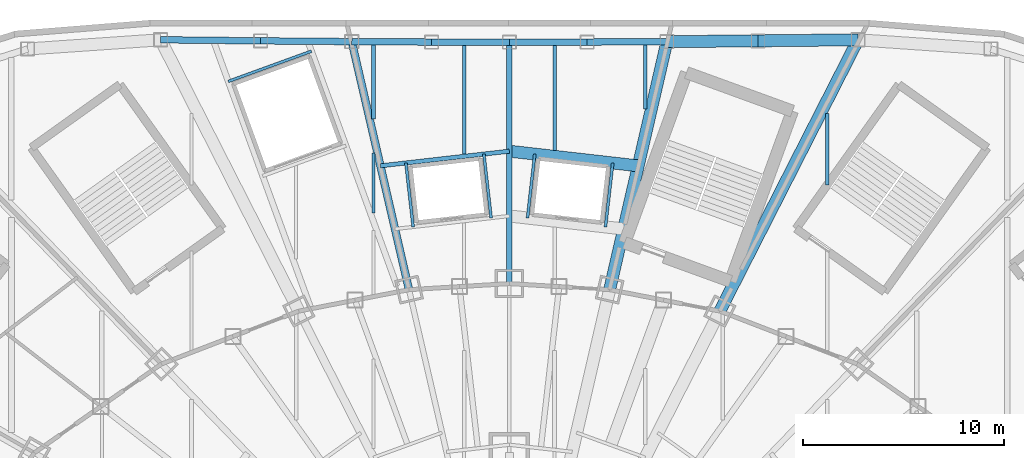
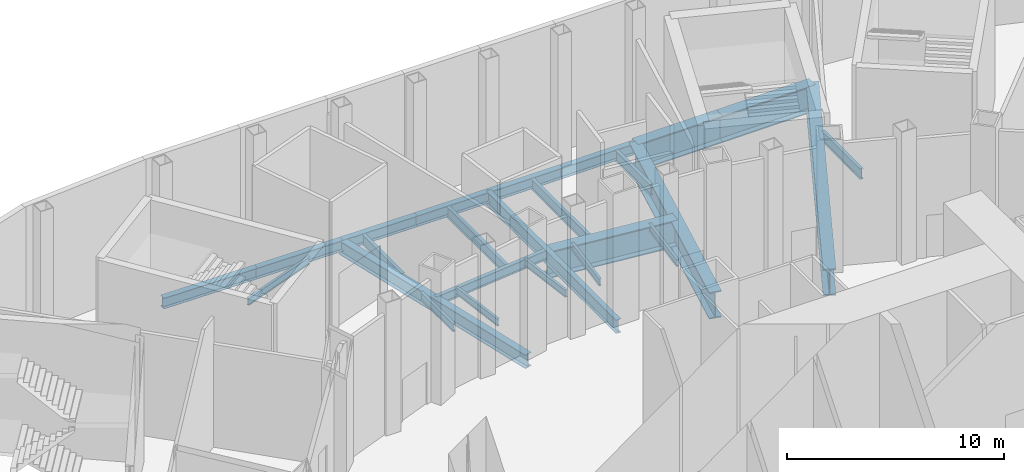
# One storey, part 8 of 73: 25 beams.
"""IFC4 building model written with IfcOpenShell, lengths in metres."""

from ifc_helpers import new_model, si_unit, direction, frame, origin, origin_2d, place, context, subcontext, project, spatial, i_section, extrude, material, material_profile, profile_set, type_object, element, save


model = new_model("IFC4")

# Units and contexts
model_context = context("Model", 3, precision=1e-05, world=origin(), true_north=direction((0.0, 1.0)))
body_context = subcontext(model_context, "Body", "Model", "MODEL_VIEW")
ifc_project = project(units=[si_unit("LENGTHUNIT", "METRE"), si_unit("AREAUNIT", "SQUARE_METRE"), si_unit("VOLUMEUNIT", "CUBIC_METRE"), si_unit("PLANEANGLEUNIT", "RADIAN"), si_unit("MASSUNIT", "GRAM", prefix="KILO")], contexts=[model_context])

# Site, building, storey
site_placement = place(None, origin())
site = spatial("IfcSite", under=ifc_project, at=site_placement, CompositionType="ELEMENT")
building_placement = place(site_placement, origin())
building = spatial("IfcBuilding", under=site, at=building_placement, Name="Lantaw Convention Tower", CompositionType="ELEMENT")
storey_placement = place(building_placement, frame((0.0, 0.0, 14.5)))
storey = spatial("IfcBuildingStorey", under=building, at=storey_placement, Name="L02", CompositionType="ELEMENT", Elevation=14.5)

# Beams
ifc_material_1 = material(Name="Steel ASTM A572 Grade 50", Category="steel")
ifc_material_profile_1 = material_profile(ifc_material_1, i_section(OverallWidth=0.60009765625, OverallDepth=1.5, WebThickness=0.02490234375, FlangeThickness=0.06005859375, at=origin_2d()), Name="PG1500X600X25X60")
ifc_profile_set_1 = profile_set([ifc_material_profile_1], Name="Steel ASTM A572 Grade 50")
beam_type_1 = type_object("IfcBeamType", Name="Beam E PG1500X600X25X60", PredefinedType="SPANDREL", material=ifc_profile_set_1)
beam_1_placement = place(storey_placement, frame((17.333984375, 34.019775390625, -0.949951171875), z_axis=(-0.999942166471, -0.010754706535, 0.0), x_axis=(0.010754706535, -0.999942166471, 0.0)))
element("IfcBeam", 1, at=beam_1_placement, inside=storey, type_object=beam_type_1, Name="Podium edge beam R04", PredefinedType="SPANDREL", context=body_context, shape_type="SweptSolid", body=[
    extrude(i_section(OverallWidth=0.60009765625, OverallDepth=1.5, WebThickness=0.02490234375, FlangeThickness=0.06005859375, at=origin_2d()), origin(), (0.0, 0.0, 1.0), 4.971435546875),
])
beam_2_placement = place(storey_placement, frame((12.36279296875, 33.96630859375, -0.949951171875), z_axis=(-0.999964655563, -0.00840759331, 0.0), x_axis=(0.00840759331, -0.999964655563, 0.0)))
element("IfcBeam", 2, at=beam_2_placement, inside=storey, type_object=beam_type_1, Name="Podium edge beam B04", PredefinedType="SPANDREL", context=body_context, shape_type="SweptSolid", body=[
    extrude(i_section(OverallWidth=0.60009765625, OverallDepth=1.5, WebThickness=0.02490234375, FlangeThickness=0.06005859375, at=origin_2d()), origin(), (0.0, 0.0, 1.0), 4.530029296875),
])
ifc_material_2 = material(Name="Steel ASTM A992", Category="steel")
ifc_material_profile_2 = material_profile(ifc_material_2, i_section(OverallWidth=0.3251953125, OverallDepth=0.612060546875, WebThickness=0.0126953125, FlangeThickness=0.01904296875, FilletRadius=0.0126953125, at=origin_2d()), Name="W24X104")
ifc_profile_set_2 = profile_set([ifc_material_profile_2], Name="Steel ASTM A992")
beam_type_2 = type_object("IfcBeamType", Name="Beam E W24X104", PredefinedType="SPANDREL", material=ifc_profile_set_2)
beam_3_placement = place(storey_placement, frame((7.8330078125, 33.92822265625, -0.506103515625), z_axis=(-0.999985686096, -0.005350476918, 0.0), x_axis=(0.005350476918, -0.999985686096, 0.0)))
element("IfcBeam", 3, at=beam_3_placement, inside=storey, type_object=beam_type_2, Name="Podium edge beam R05", PredefinedType="SPANDREL", context=body_context, shape_type="SweptSolid", body=[
    extrude(i_section(OverallWidth=0.3251953125, OverallDepth=0.612060546875, WebThickness=0.0126953125, FlangeThickness=0.01904296875, FilletRadius=0.0126953125, at=origin_2d()), origin(), (0.0, 0.0, 1.0), 3.9697265625),
])
for number, where, z_axis, x_axis, name in (
    (4, (3.86328125, 33.906982421875, -0.506103515625), (-0.999998320684, -0.001832656174, 0.0), (0.001832656174, -0.999998320684, 0.0), "Podium edge beam B05"),
    (5, (0.0, 33.89990234375, -0.506103515625), (-0.999998320684, 0.001832656174, 0.0), (-0.001832656174, -0.999998320684, 0.0), "Podium edge beam R06"),
):
    element("IfcBeam", number, at=place(storey_placement, frame(where, z_axis=z_axis, x_axis=x_axis)), inside=storey, type_object=beam_type_2, Name=name, PredefinedType="SPANDREL", context=body_context, shape_type="SweptSolid", body=[
        extrude(i_section(OverallWidth=0.3251953125, OverallDepth=0.612060546875, WebThickness=0.0126953125, FlangeThickness=0.01904296875, FilletRadius=0.0126953125, at=origin_2d()), origin(), (0.0, 0.0, 1.0), 3.86328125),
    ])
beam_4_placement = place(storey_placement, frame((-3.86328125, 33.906982421875, -0.506103515625), z_axis=(-0.999985686096, 0.005350476918, 0.0), x_axis=(-0.005350476918, -0.999985686096, 0.0)))
element("IfcBeam", 6, at=beam_4_placement, inside=storey, type_object=beam_type_2, Name="Podium edge beam B06", PredefinedType="SPANDREL", context=body_context, shape_type="SweptSolid", body=[
    extrude(i_section(OverallWidth=0.3251953125, OverallDepth=0.612060546875, WebThickness=0.0126953125, FlangeThickness=0.01904296875, FilletRadius=0.0126953125, at=origin_2d()), origin(), (0.0, 0.0, 1.0), 3.9697265625),
])
beam_5_placement = place(storey_placement, frame((-7.8330078125, 33.92822265625, -0.506103515625), z_axis=(-0.999964655563, 0.00840759331, 0.0), x_axis=(-0.00840759331, -0.999964655563, 0.0)))
element("IfcBeam", 7, at=beam_5_placement, inside=storey, type_object=beam_type_2, Name="Podium edge beam R07", PredefinedType="SPANDREL", context=body_context, shape_type="SweptSolid", body=[
    extrude(i_section(OverallWidth=0.3251953125, OverallDepth=0.612060546875, WebThickness=0.0126953125, FlangeThickness=0.01904296875, FilletRadius=0.0126953125, at=origin_2d()), origin(), (0.0, 0.0, 1.0), 4.530029296875),
])
beam_6_placement = place(storey_placement, frame((-12.36279296875, 33.96630859375, -0.506103515625), z_axis=(-0.999942166471, 0.010754706535, 0.0), x_axis=(-0.010754706535, -0.999942166471, 0.0)))
element("IfcBeam", 8, at=beam_6_placement, inside=storey, type_object=beam_type_2, Name="Podium edge beam B07", PredefinedType="SPANDREL", context=body_context, shape_type="SweptSolid", body=[
    extrude(i_section(OverallWidth=0.3251953125, OverallDepth=0.612060546875, WebThickness=0.0126953125, FlangeThickness=0.01904296875, FilletRadius=0.0126953125, at=origin_2d()), origin(), (0.0, 0.0, 1.0), 4.971435546875),
])
ifc_material_profile_3 = material_profile(ifc_material_2, i_section(OverallWidth=0.15234375, OverallDepth=0.449462890625, WebThickness=0.007568359375, FlangeThickness=0.0107421875, FilletRadius=0.01025390625, at=origin_2d()), Name="W18X35")
ifc_profile_set_3 = profile_set([ifc_material_profile_3], Name="Steel ASTM A992")
beam_type_3 = type_object("IfcBeamType", Name="Beam J W18X35", PredefinedType="JOIST", material=ifc_profile_set_3)
beam_7_placement = place(storey_placement, frame((-6.75, 25.40478515625, -0.4248046875), z_axis=(0.0, 1.0, 0.0), x_axis=(-1.0, 0.0, 0.0)))
element("IfcBeam", 9, at=beam_7_placement, inside=storey, type_object=beam_type_3, Name="Floor joist", PredefinedType="JOIST", context=body_context, shape_type="SweptSolid", body=[
    extrude(i_section(OverallWidth=0.15234375, OverallDepth=0.449462890625, WebThickness=0.007568359375, FlangeThickness=0.0107421875, FilletRadius=0.01025390625, at=origin_2d()), origin(), (0.0, 0.0, 1.0), 2.98583984375),
])
ifc_material_profile_4 = material_profile(ifc_material_2, i_section(OverallWidth=0.177978515625, OverallDepth=0.599365234375, WebThickness=0.010009765625, FlangeThickness=0.012939453125, FilletRadius=0.012939453125, at=origin_2d()), Name="W24X55")
ifc_profile_set_4 = profile_set([ifc_material_profile_4], Name="Steel ASTM A992")
beam_type_4 = type_object("IfcBeamType", Name="Beam J W24X55", PredefinedType="JOIST", material=ifc_profile_set_4)
beam_8_placement = place(storey_placement, frame((-6.75, 30.084228515625, -0.499755859375), z_axis=(0.0, 1.0, 0.0), x_axis=(-1.0, 0.0, 0.0)))
element("IfcBeam", 10, at=beam_8_placement, inside=storey, type_object=beam_type_4, Name="Floor joist", PredefinedType="JOIST", context=body_context, shape_type="SweptSolid", body=[
    extrude(i_section(OverallWidth=0.177978515625, OverallDepth=0.599365234375, WebThickness=0.010009765625, FlangeThickness=0.012939453125, FilletRadius=0.012939453125, at=origin_2d()), origin(), (0.0, 0.0, 1.0), 3.675537109375),
])
beam_9_placement = place(storey_placement, frame((-2.25, 28.33251953125, -0.499755859375), z_axis=(0.0, 1.0, 0.0), x_axis=(-1.0, 0.0, 0.0)))
element("IfcBeam", 11, at=beam_9_placement, inside=storey, type_object=beam_type_4, Name="Floor joist", PredefinedType="JOIST", context=body_context, shape_type="SweptSolid", body=[
    extrude(i_section(OverallWidth=0.177978515625, OverallDepth=0.599365234375, WebThickness=0.010009765625, FlangeThickness=0.012939453125, FilletRadius=0.012939453125, at=origin_2d()), origin(), (0.0, 0.0, 1.0), 5.408935546875),
])
beam_10_placement = place(storey_placement, frame((2.25, 28.528564453125, -0.499755859375), z_axis=(0.0, 1.0, 0.0), x_axis=(-1.0, 0.0, 0.0)))
element("IfcBeam", 12, at=beam_10_placement, inside=storey, type_object=beam_type_4, Name="Floor joist", PredefinedType="JOIST", context=body_context, shape_type="SweptSolid", body=[
    extrude(i_section(OverallWidth=0.177978515625, OverallDepth=0.599365234375, WebThickness=0.010009765625, FlangeThickness=0.012939453125, FilletRadius=0.012939453125, at=origin_2d()), origin(), (0.0, 0.0, 1.0), 5.212890625),
])
beam_11_placement = place(storey_placement, frame((6.75, 30.571044921875, -0.499755859375), z_axis=(0.0, 1.0, 0.0), x_axis=(-1.0, 0.0, 0.0)))
element("IfcBeam", 13, at=beam_11_placement, inside=storey, type_object=beam_type_4, Name="Floor joist", PredefinedType="JOIST", context=body_context, shape_type="SweptSolid", body=[
    extrude(i_section(OverallWidth=0.177978515625, OverallDepth=0.599365234375, WebThickness=0.010009765625, FlangeThickness=0.012939453125, FilletRadius=0.012939453125, at=origin_2d()), origin(), (0.0, 0.0, 1.0), 3.188720703125),
])
beam_12_placement = place(storey_placement, frame((15.800048828125, 26.80029296875, -0.499755859375), z_axis=(0.0, 1.0, 0.0), x_axis=(-1.0, 0.0, 0.0)))
element("IfcBeam", 14, at=beam_12_placement, inside=storey, type_object=beam_type_4, Name="Floor joist", PredefinedType="JOIST", context=body_context, shape_type="SweptSolid", body=[
    extrude(i_section(OverallWidth=0.177978515625, OverallDepth=0.599365234375, WebThickness=0.010009765625, FlangeThickness=0.012939453125, FilletRadius=0.012939453125, at=origin_2d()), origin(), (0.0, 0.0, 1.0), 3.548095703125),
])
ifc_material_profile_5 = material_profile(ifc_material_1, i_section(OverallWidth=0.60009765625, OverallDepth=1.5, WebThickness=0.02490234375, FlangeThickness=0.06005859375, at=origin_2d()), Name="PG1500X600X25X60")
ifc_profile_set_5 = profile_set([ifc_material_profile_5], Name="Steel ASTM A572 Grade 50")
beam_type_5 = type_object("IfcBeamType", Name="Beam PG PG1500X600X25X60", PredefinedType="BEAM", material=ifc_profile_set_5)
beam_13_placement = place(storey_placement, frame((10.462646484375, 20.533935546875, -0.949951171875), z_axis=(0.453988364005, 0.891007612396, 0.0), x_axis=(-0.891007612396, 0.453988364005, 0.0)))
element("IfcBeam", 15, at=beam_13_placement, inside=storey, type_object=beam_type_5, Name="Podium girder PR05", PredefinedType="BEAM", context=body_context, shape_type="SweptSolid", body=[
    extrude(i_section(OverallWidth=0.60009765625, OverallDepth=1.5, WebThickness=0.02490234375, FlangeThickness=0.06005859375, at=origin_2d()), origin(), (0.0, 0.0, 1.0), 15.135498046875),
])
beam_14_placement = place(storey_placement, frame((4.986328125, 21.59814453125, -0.949951171875), z_axis=(0.224955319834, 0.974369080009, 0.0), x_axis=(-0.974369080009, 0.224955319834, 0.0)))
element("IfcBeam", 16, at=beam_14_placement, inside=storey, type_object=beam_type_5, Name="Podium girder PR06", PredefinedType="BEAM", context=body_context, shape_type="SweptSolid", body=[
    extrude(i_section(OverallWidth=0.60009765625, OverallDepth=1.5, WebThickness=0.02490234375, FlangeThickness=0.06005859375, at=origin_2d()), origin(), (0.0, 0.0, 1.0), 12.654541015625),
])
ifc_material_profile_6 = material_profile(ifc_material_2, i_section(OverallWidth=0.2666015625, OverallDepth=0.76953125, WebThickness=0.015625, FlangeThickness=0.025390625, FilletRadius=0.0126953125, at=origin_2d()), Name="W30X132")
ifc_profile_set_6 = profile_set([ifc_material_profile_6], Name="Steel ASTM A992")
beam_type_6 = type_object("IfcBeamType", Name="Beam PG W30X132", PredefinedType="BEAM", material=ifc_profile_set_6)
beam_15_placement = place(storey_placement, frame((0.0, 21.89990234375, -0.584716796875), z_axis=(0.0, 1.0, 0.0), x_axis=(-1.0, 0.0, 0.0)))
element("IfcBeam", 17, at=beam_15_placement, inside=storey, type_object=beam_type_6, Name="Podium girder PR07", PredefinedType="BEAM", context=body_context, shape_type="SweptSolid", body=[
    extrude(i_section(OverallWidth=0.2666015625, OverallDepth=0.76953125, WebThickness=0.015625, FlangeThickness=0.025390625, FilletRadius=0.0126953125, at=origin_2d()), origin(), (0.0, 0.0, 1.0), 12.0),
])
ifc_material_profile_7 = material_profile(ifc_material_2, i_section(OverallWidth=0.381103515625, OverallDepth=0.772216796875, WebThickness=0.0166015625, FlangeThickness=0.027099609375, FilletRadius=0.0146484375, at=origin_2d()), Name="W30X173")
ifc_profile_set_7 = profile_set([ifc_material_profile_7], Name="Steel ASTM A992")
beam_type_7 = type_object("IfcBeamType", Name="Beam PG W30X173", PredefinedType="BEAM", material=ifc_profile_set_7)
beam_16_placement = place(storey_placement, frame((-4.986328125, 21.59814453125, -0.586181640625), z_axis=(-0.224955319834, 0.974369080009, 0.0), x_axis=(-0.974369080009, -0.224955319834, 0.0)))
element("IfcBeam", 18, at=beam_16_placement, inside=storey, type_object=beam_type_7, Name="Podium girder PR08", PredefinedType="BEAM", context=body_context, shape_type="SweptSolid", body=[
    extrude(i_section(OverallWidth=0.381103515625, OverallDepth=0.772216796875, WebThickness=0.0166015625, FlangeThickness=0.027099609375, FilletRadius=0.0146484375, at=origin_2d()), origin(), (0.0, 0.0, 1.0), 12.654541015625),
])
ifc_material_profile_8 = material_profile(ifc_material_1, i_section(OverallWidth=0.60009765625, OverallDepth=1.5, WebThickness=0.02490234375, FlangeThickness=0.06005859375, at=origin_2d()), Name="PG1500X600X25X60")
ifc_profile_set_8 = profile_set([ifc_material_profile_8], Name="Steel ASTM A572 Grade 50")
beam_type_8 = type_object("IfcBeamType", Name="Beam TR PG1500X600X25X60", PredefinedType="BEAM", material=ifc_profile_set_8)
beam_17_placement = place(storey_placement, frame((0.0, 28.483154296875, -0.949951171875), z_axis=(0.993572392644, -0.113198500762, 0.0), x_axis=(0.113198500762, 0.993572392644, 0.0)))
element("IfcBeam", 19, at=beam_17_placement, inside=storey, type_object=beam_type_8, Name="Opening trimmer beam", PredefinedType="BEAM", context=body_context, shape_type="SweptSolid", body=[
    extrude(i_section(OverallWidth=0.60009765625, OverallDepth=1.5, WebThickness=0.02490234375, FlangeThickness=0.06005859375, at=origin_2d()), origin(), (0.0, 0.0, 1.0), 6.44873046875),
])
ifc_material_profile_9 = material_profile(ifc_material_2, i_section(OverallWidth=0.140380859375, OverallDepth=0.40380859375, WebThickness=0.007080078125, FlangeThickness=0.01123046875, FilletRadius=0.01025390625, at=origin_2d()), Name="W16X31")
ifc_profile_set_9 = profile_set([ifc_material_profile_9], Name="Steel ASTM A992")
beam_type_9 = type_object("IfcBeamType", Name="Beam TR W16X31", PredefinedType="BEAM", material=ifc_profile_set_9)
beam_18_placement = place(storey_placement, frame((0.904052734375, 25.159423828125, -0.40185546875), z_axis=(0.113144208648, 0.993578576686, 0.0), x_axis=(-0.993578576686, 0.113144208648, 0.0)))
element("IfcBeam", 20, at=beam_18_placement, inside=storey, type_object=beam_type_9, Name="Opening header beam", PredefinedType="BEAM", context=body_context, shape_type="SweptSolid", body=[
    extrude(i_section(OverallWidth=0.140380859375, OverallDepth=0.40380859375, WebThickness=0.007080078125, FlangeThickness=0.01123046875, FilletRadius=0.01025390625, at=origin_2d()), origin(), (0.0, 0.0, 1.0), 3.199951171875),
])
for number, where, z_axis, x_axis, name in (
    (21, (5.14111328125, 27.897216796875, -0.40185546875), (-0.11322810814, -0.993569019005, 0.0), (0.993569019005, -0.11322810814, 0.0), "Opening header beam"),
    (22, (-4.77880859375, 24.718017578125, -0.40185546875), (-0.11322810814, 0.993569019005, 0.0), (-0.993569019005, -0.11322810814, 0.0), "Opening header beam"),
):
    element("IfcBeam", number, at=place(storey_placement, frame(where, z_axis=z_axis, x_axis=x_axis)), inside=storey, type_object=beam_type_9, Name=name, PredefinedType="BEAM", context=body_context, shape_type="SweptSolid", body=[
        extrude(i_section(OverallWidth=0.140380859375, OverallDepth=0.40380859375, WebThickness=0.007080078125, FlangeThickness=0.01123046875, FilletRadius=0.01025390625, at=origin_2d()), origin(), (0.0, 0.0, 1.0), 3.19970703125),
    ])
beam_19_placement = place(storey_placement, frame((-1.26611328125, 28.3388671875, -0.40185546875), z_axis=(0.113144208648, -0.993578576686, 0.0), x_axis=(0.993578576686, 0.113144208648, 0.0)))
element("IfcBeam", 23, at=beam_19_placement, inside=storey, type_object=beam_type_9, Name="Opening header beam", PredefinedType="BEAM", context=body_context, shape_type="SweptSolid", body=[
    extrude(i_section(OverallWidth=0.140380859375, OverallDepth=0.40380859375, WebThickness=0.007080078125, FlangeThickness=0.01123046875, FilletRadius=0.01025390625, at=origin_2d()), origin(), (0.0, 0.0, 1.0), 3.199951171875),
])
beam_20_placement = place(storey_placement, frame((-13.9697265625, 31.948974609375, -0.40185546875), z_axis=(0.939696185245, 0.342010349897, 0.0), x_axis=(-0.342010349897, 0.939696185245, 0.0)))
element("IfcBeam", 24, at=beam_20_placement, inside=storey, type_object=beam_type_9, Name="Opening header beam", PredefinedType="BEAM", context=body_context, shape_type="SweptSolid", body=[
    extrude(i_section(OverallWidth=0.140380859375, OverallDepth=0.40380859375, WebThickness=0.007080078125, FlangeThickness=0.01123046875, FilletRadius=0.01025390625, at=origin_2d()), origin(), (0.0, 0.0, 1.0), 4.400146484375),
])
ifc_material_profile_10 = material_profile(ifc_material_2, i_section(OverallWidth=0.2099609375, OverallDepth=0.535888671875, WebThickness=0.010986328125, FlangeThickness=0.017333984375, FilletRadius=0.012939453125, at=origin_2d()), Name="W21X68")
ifc_profile_set_10 = profile_set([ifc_material_profile_10], Name="Steel ASTM A992")
beam_type_10 = type_object("IfcBeamType", Name="Beam TR W21X68", PredefinedType="BEAM", material=ifc_profile_set_10)
beam_21_placement = place(storey_placement, frame((-6.4072265625, 27.753173828125, -0.468017578125), z_axis=(0.993572392644, 0.113198500762, 0.0), x_axis=(-0.113198500762, 0.993572392644, 0.0)))
element("IfcBeam", 25, at=beam_21_placement, inside=storey, type_object=beam_type_10, Name="Opening trimmer beam", PredefinedType="BEAM", context=body_context, shape_type="SweptSolid", body=[
    extrude(i_section(OverallWidth=0.2099609375, OverallDepth=0.535888671875, WebThickness=0.010986328125, FlangeThickness=0.017333984375, FilletRadius=0.012939453125, at=origin_2d()), origin(), (0.0, 0.0, 1.0), 6.44873046875),
])

save(model, "model.ifc")
